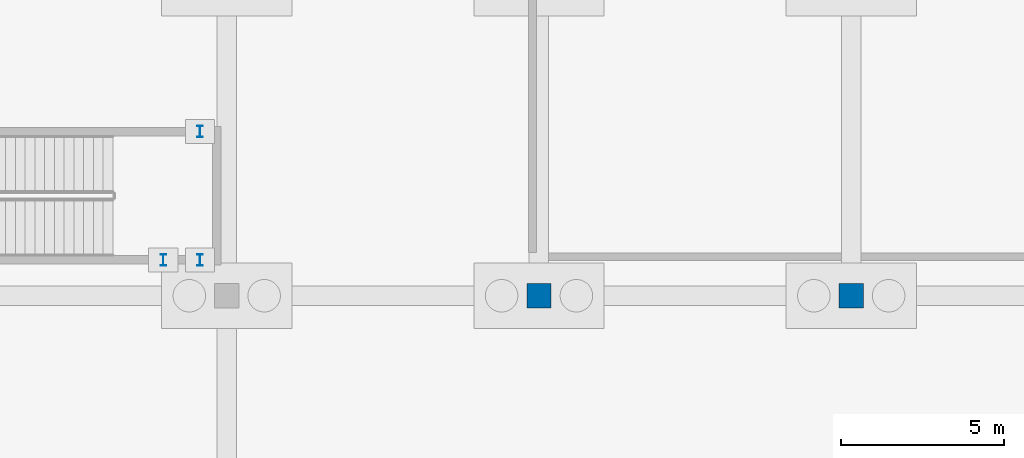
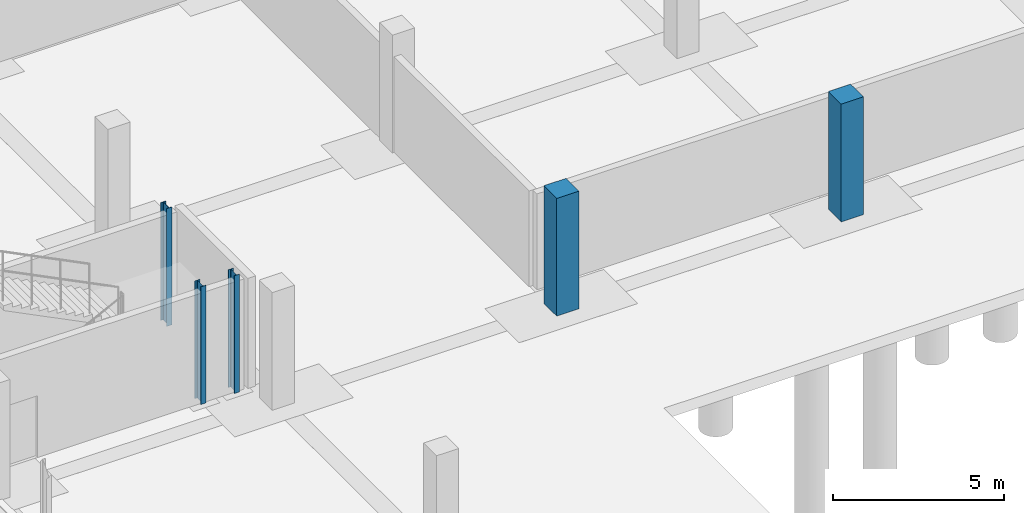
# One storey, part 25 of 54: 5 columns.
"""IFC4 building model written with IfcOpenShell, lengths in metres."""

from ifc_helpers import new_model, si_unit, direction, frame, origin, origin_2d, place, context, subcontext, project, spatial, rectangle, i_section, extrude, material, material_profile, profile_set, type_object, element, save


model = new_model("IFC4")

# Units and contexts
model_context = context("Model", 3, precision=1e-05, world=origin(), true_north=direction((0.0, 1.0)))
body_context = subcontext(model_context, "Body", "Model", "MODEL_VIEW")
ifc_project = project(units=[si_unit("LENGTHUNIT", "METRE"), si_unit("AREAUNIT", "SQUARE_METRE"), si_unit("VOLUMEUNIT", "CUBIC_METRE"), si_unit("PLANEANGLEUNIT", "RADIAN"), si_unit("MASSUNIT", "GRAM", prefix="KILO")], contexts=[model_context])

# Site, building, storey
site_placement = place(None, origin())
site = spatial("IfcSite", under=ifc_project, at=site_placement, CompositionType="ELEMENT")
building_placement = place(site_placement, origin())
building = spatial("IfcBuilding", under=site, at=building_placement, Name="Zevrakil Square Congress Hotel", CompositionType="ELEMENT")
storey_placement = place(building_placement, frame((0.0, 0.0, -8.39990234375)))
storey = spatial("IfcBuildingStorey", under=building, at=storey_placement, Name="B2", CompositionType="ELEMENT", Elevation=-8.39990234375)

# Columns
ifc_material_1 = material(Name="Steel S355", Category="steel")
ifc_material_profile_1 = material_profile(ifc_material_1, i_section(OverallWidth=0.169921875, OverallDepth=0.360107421875, WebThickness=0.008056640625, FlangeThickness=0.0126953125, FilletRadius=0.01806640625, at=origin_2d()), Name="IPE 360")
ifc_profile_set_1 = profile_set([ifc_material_profile_1], Name="Steel S355")
column_type_1 = type_object("IfcColumnType", Name="COL-PILASTER-SHS180", PredefinedType="PILASTER", material=ifc_profile_set_1)
for number, where, z_axis, x_axis, name in (
    (1, (62.85009765625, 85.10009765625, 0.0), (0.0, 0.0, 1.0), (1.0, 0.0, 0.0), "B2 ST05 stair shaft post 1"),
    (2, (63.97998046875, 85.10009765625, 0.0), (0.0, 0.0, 1.0), (1.0, 0.0, 0.0), "B2 ST05 stair shaft post 2"),
    (3, (63.97998046875, 89.050048828125, 0.0), (0.0, 0.0, 1.0), (1.0, 0.0, 0.0), "B2 ST05 stair shaft post 3"),
):
    element("IfcColumn", number, at=place(storey_placement, frame(where, z_axis=z_axis, x_axis=x_axis)), inside=storey, type_object=column_type_1, Name=name, PredefinedType="PILASTER", context=body_context, shape_type="SweptSolid", body=[
        extrude(i_section(OverallWidth=0.169921875, OverallDepth=0.360107421875, WebThickness=0.008056640625, FlangeThickness=0.0126953125, FilletRadius=0.01806640625, at=origin_2d()), origin(), (0.0, 0.0, 1.0), 4.199951171875),
    ])
ifc_material_2 = material(Name="Concrete C40/50", Category="concrete")
ifc_material_profile_2 = material_profile(ifc_material_2, rectangle(XDim=0.75, YDim=0.75, at=origin_2d()), Name="RC 750x750")
ifc_profile_set_2 = profile_set([ifc_material_profile_2], Name="Concrete C40/50")
column_type_2 = type_object("IfcColumnType", Name="COL-RC750", PredefinedType="COLUMN", material=ifc_profile_set_2)
for number, where, z_axis, x_axis, name in (
    (4, (74.39990234375, 84.0, 0.0), (0.0, 0.0, 1.0), (1.0, 0.0, 0.0), "B2 column C-120"),
    (5, (84.0, 84.0, 0.0), (0.0, 0.0, 1.0), (1.0, 0.0, 0.0), "B2 column C-132"),
):
    element("IfcColumn", number, at=place(storey_placement, frame(where, z_axis=z_axis, x_axis=x_axis)), inside=storey, type_object=column_type_2, Name=name, PredefinedType="COLUMN", context=body_context, shape_type="SweptSolid", body=[
        extrude(rectangle(XDim=0.75, YDim=0.75, at=origin_2d()), origin(), (0.0, 0.0, 1.0), 4.199951171875),
    ])

save(model, "model.ifc")
